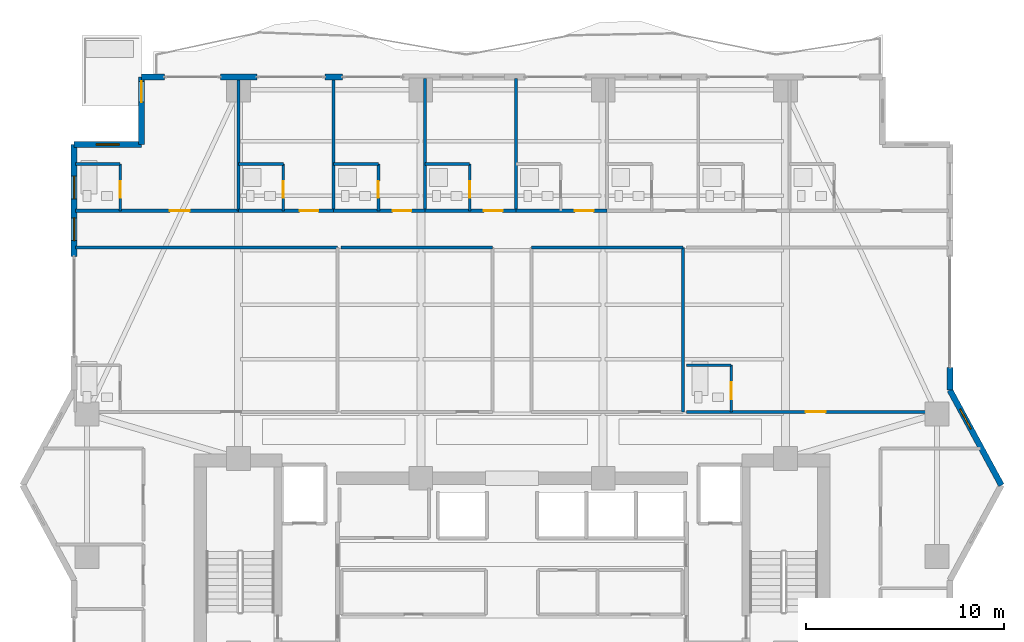
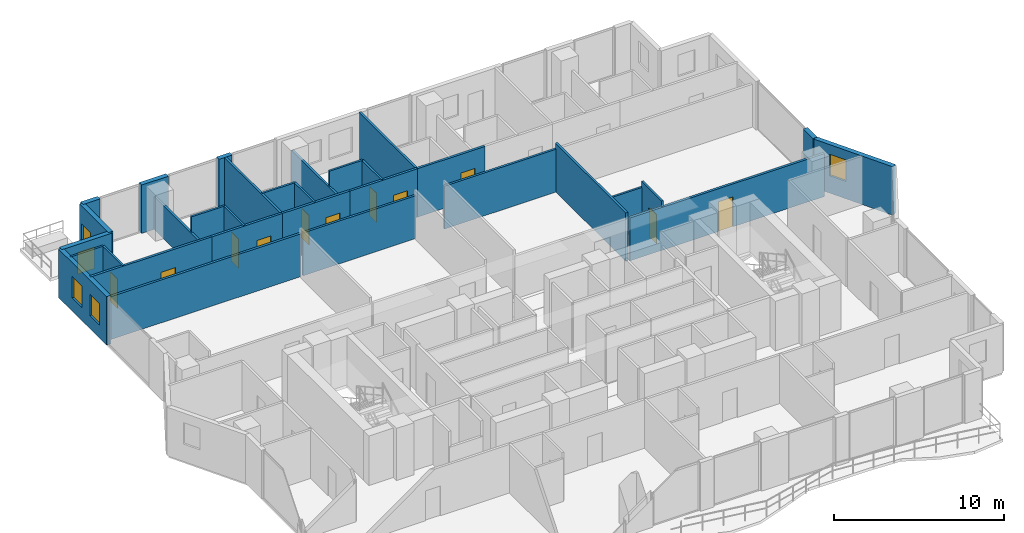
# One storey, part 27 of 33: 32 walls, 12 doors, 4 windows, 16 openings.
"""IFC4 building model written with IfcOpenShell, lengths in metres."""

from ifc_helpers import new_model, si_unit, direction, frame, frame_2d, origin, place, context, subcontext, project, spatial, rectangle, extrude, material, layer, layer_set, type_object, element, fill, save


model = new_model("IFC4")

# Units and contexts
model_context = context("Model", 3, precision=1e-05, world=origin(), true_north=direction((0.0, 1.0)))
body_context = subcontext(model_context, "Body", "Model", "MODEL_VIEW")
ifc_project = project(units=[si_unit("LENGTHUNIT", "METRE"), si_unit("AREAUNIT", "SQUARE_METRE"), si_unit("VOLUMEUNIT", "CUBIC_METRE"), si_unit("PLANEANGLEUNIT", "RADIAN"), si_unit("MASSUNIT", "GRAM", prefix="KILO")], contexts=[model_context])

# Site, building, storey
site_placement = place(None, origin())
site = spatial("IfcSite", under=ifc_project, at=site_placement, CompositionType="ELEMENT")
building_placement = place(site_placement, origin())
building = spatial("IfcBuilding", under=site, at=building_placement, Name="Zuhayl Quay Hotel", CompositionType="ELEMENT")
storey_placement = place(building_placement, frame((0.0, 0.0, 229.89990234375)))
storey = spatial("IfcBuildingStorey", under=building, at=storey_placement, Name="L58", CompositionType="ELEMENT", Elevation=229.89990234375)

# Wall, openings, windows
ifc_material_1 = material(Name="Precast concrete C45/55", Category="concrete")
ifc_layer_1 = layer(ifc_material_1, 0.300048828125, Name="Precast concrete C45/55", Category="concrete")
ifc_layer_set_1 = layer_set([ifc_layer_1], Name="Precast concrete C45/55")
wall_type_1 = type_object("IfcWallType", Name="WL_EXT_300", PredefinedType="STANDARD", material=ifc_layer_set_1)
wall_1_placement = place(storey_placement, frame((-22.10009765625, 24.550048828125, 0.0), z_axis=(0.0, 0.0, 1.0), x_axis=(0.0, 1.0, 0.0)))
wall_1 = element("IfcWall", 1, at=wall_1_placement, inside=storey, type_object=wall_type_1, Name="L58 Exterior Precast Wall ENV_L58_E05_EW2", PredefinedType="STANDARD", context=body_context, shape_type="SweptSolid", body=[
    extrude(rectangle(XDim=5.64990234375, YDim=0.300048828125, at=frame_2d((2.824951171875, 0.0))), origin(), (0.0, 0.0, 1.0), 3.489990234375),
])
opening_1_placement = place(wall_1_placement, frame((0.800048828125, 0.0, 0.949951171875)))
opening_1 = element("IfcOpeningElement", 2, at=opening_1_placement, cuts=wall_1, Name="Opening W01N", PredefinedType="OPENING", context=body_context, shape_type="SweptSolid", body=[
    extrude(rectangle(XDim=1.14990234375, YDim=1.550048828125, at=frame_2d((0.574951171875, 0.77490234375))), frame((0.0, 0.159912109375, 0.0), z_axis=(0.0, -1.0, 0.0), x_axis=(1.0, 0.0, 0.0)), (0.0, 0.0, 1.0), 0.320068359375),
])
opening_2_placement = place(wall_1_placement, frame((2.905029296875, 0.0, 0.949951171875)))
opening_2 = element("IfcOpeningElement", 3, at=opening_2_placement, cuts=wall_1, Name="Opening W01N", PredefinedType="OPENING", context=body_context, shape_type="SweptSolid", body=[
    extrude(rectangle(XDim=1.14990234375, YDim=1.550048828125, at=frame_2d((0.574951171875, 0.77490234375))), frame((0.0, 0.159912109375, 0.0), z_axis=(0.0, -1.0, 0.0), x_axis=(1.0, 0.0, 0.0)), (0.0, 0.0, 1.0), 0.320068359375),
])
ifc_material_2 = material(Name="Dark Ceramic-Fritted Solar Glass", Category="glass")
window_type = type_object("IfcWindowType", Name="WN_NOTCH_1350", PartitioningType="SINGLE_PANEL", PredefinedType="WINDOW", material=ifc_material_2)
window_1_placement = place(opening_1_placement, origin())
window_1 = element("IfcWindow", 4, at=window_1_placement, inside=storey, type_object=window_type, Name="L58 Operable Facade Window 2-1", OverallHeight=1.550048828125, OverallWidth=1.14990234375, PartitioningType="SINGLE_PANEL", PredefinedType="WINDOW", context=body_context, shape_type="SweptSolid", body=[
    extrude(rectangle(XDim=1.14990234375, YDim=1.550048828125, at=frame_2d((0.574951171875, 0.77490234375))), frame((0.0, 0.030029296875, 0.0), z_axis=(0.0, -1.0, 0.0), x_axis=(1.0, 0.0, 0.0)), (0.0, 0.0, 1.0), 0.06005859375),
])
fill(opening_1, window_1)
window_2_placement = place(opening_2_placement, origin())
window_2 = element("IfcWindow", 5, at=window_2_placement, inside=storey, type_object=window_type, Name="L58 Operable Facade Window 2-2", OverallHeight=1.550048828125, OverallWidth=1.14990234375, PartitioningType="SINGLE_PANEL", PredefinedType="WINDOW", context=body_context, shape_type="SweptSolid", body=[
    extrude(rectangle(XDim=1.14990234375, YDim=1.550048828125, at=frame_2d((0.574951171875, 0.77490234375))), frame((0.0, 0.030029296875, 0.0), z_axis=(0.0, -1.0, 0.0), x_axis=(1.0, 0.0, 0.0)), (0.0, 0.0, 1.0), 0.06005859375),
])
fill(opening_2, window_2)

# Wall, opening, window
wall_2_placement = place(storey_placement, frame((-22.10009765625, 30.199951171875, 0.0), z_axis=(0.0, 0.0, 1.0), x_axis=(1.0, 0.0, 0.0)))
wall_2 = element("IfcWall", 6, at=wall_2_placement, inside=storey, type_object=wall_type_1, Name="L58 Exterior Precast Wall ENV_L58_EW06", PredefinedType="STANDARD", context=body_context, shape_type="SweptSolid", body=[
    extrude(rectangle(XDim=3.400146484375, YDim=0.300048828125, at=frame_2d((1.7001953125, 0.0))), origin(), (0.0, 0.0, 1.0), 3.489990234375),
])
opening_3_placement = place(wall_2_placement, frame((1.125, 0.0, 1.25)))
opening_3 = element("IfcOpeningElement", 7, at=opening_3_placement, cuts=wall_2, Name="Opening W01N", PredefinedType="OPENING", context=body_context, shape_type="SweptSolid", body=[
    extrude(rectangle(XDim=1.14990234375, YDim=1.550048828125, at=frame_2d((0.574951171875, 0.77490234375))), frame((0.0, 0.159912109375, 0.0), z_axis=(0.0, -1.0, 0.0), x_axis=(1.0, 0.0, 0.0)), (0.0, 0.0, 1.0), 0.320068359375),
])
window_3_placement = place(opening_3_placement, origin())
window_3 = element("IfcWindow", 8, at=window_3_placement, inside=storey, type_object=window_type, Name="L58 Corner Notch Window 6", OverallHeight=1.550048828125, OverallWidth=1.14990234375, PartitioningType="SINGLE_PANEL", PredefinedType="WINDOW", context=body_context, shape_type="SweptSolid", body=[
    extrude(rectangle(XDim=1.14990234375, YDim=1.550048828125, at=frame_2d((0.574951171875, 0.77490234375))), frame((0.0, 0.030029296875, 0.0), z_axis=(0.0, -1.0, 0.0), x_axis=(1.0, 0.0, 0.0)), (0.0, 0.0, 1.0), 0.06005859375),
])
fill(opening_3, window_3)

# Wall, opening, door
wall_3_placement = place(storey_placement, frame((-18.699951171875, 30.199951171875, 0.0), z_axis=(0.0, 0.0, 1.0), x_axis=(0.0, 1.0, 0.0)))
wall_3 = element("IfcWall", 9, at=wall_3_placement, inside=storey, type_object=wall_type_1, Name="L58 Exterior Precast Wall ENV_L58_SP_NW", PredefinedType="STANDARD", context=body_context, shape_type="SweptSolid", body=[
    extrude(rectangle(XDim=3.400146484375, YDim=0.300048828125, at=frame_2d((1.7001953125, 0.0))), origin(), (0.0, 0.0, 1.0), 3.489990234375),
])
opening_4_placement = place(wall_3_placement, frame((2.1298828125, 0.0, 0.0)))
opening_4 = element("IfcOpeningElement", 10, at=opening_4_placement, cuts=wall_3, Name="Opening DG1", PredefinedType="OPENING", context=body_context, shape_type="SweptSolid", body=[
    extrude(rectangle(XDim=1.050048828125, YDim=2.199951171875, at=frame_2d((0.52490234375, 1.10009765625))), frame((0.0, 0.159912109375, 0.0), z_axis=(0.0, -1.0, 0.0), x_axis=(1.0, 0.0, 0.0)), (0.0, 0.0, 1.0), 0.320068359375),
])
ifc_material_3 = material(Name="Anodised Aluminium and Dark Solar Glass", Category="aluminium")
door_type_1 = type_object("IfcDoorType", Name="DR_EXT_TERR_1050", OperationType="NOTDEFINED", PredefinedType="DOOR", material=ifc_material_3)
door_1_placement = place(opening_4_placement, origin())
door_1 = element("IfcDoor", 11, at=door_1_placement, inside=storey, type_object=door_type_1, Name="L58 Spiral Sky-Terrace NW Access Door", OperationType="SINGLE_SWING_LEFT", OverallHeight=2.199951171875, OverallWidth=1.050048828125, PredefinedType="DOOR", context=body_context, shape_type="SweptSolid", body=[
    extrude(rectangle(XDim=1.050048828125, YDim=2.199951171875, at=frame_2d((0.52490234375, 1.10009765625))), frame((0.0, 0.02490234375, 0.0), z_axis=(0.0, -1.0, 0.0), x_axis=(1.0, 0.0, 0.0)), (0.0, 0.0, 1.0), 0.050048828125),
])
fill(opening_4, door_1)

# Walls
wall_4_placement = place(storey_placement, frame((-18.699951171875, 33.60009765625, 0.0), z_axis=(0.0, 0.0, 1.0), x_axis=(1.0, 0.0, 0.0)))
element("IfcWall", 12, at=wall_4_placement, inside=storey, type_object=wall_type_1, Name="L58 Exterior Precast Wall ENV_L58_N_EW1", PredefinedType="STANDARD", context=body_context, shape_type="SweptSolid", body=[
    extrude(rectangle(XDim=1.14990234375, YDim=0.300048828125, at=frame_2d((0.574951171875, 0.0))), origin(), (0.0, 0.0, 1.0), 3.489990234375),
])
wall_5_placement = place(storey_placement, frame((-14.719970703125, 33.60009765625, 0.0), z_axis=(0.0, 0.0, 1.0), x_axis=(1.0, 0.0, 0.0)))
element("IfcWall", 13, at=wall_5_placement, inside=storey, type_object=wall_type_1, Name="L58 Exterior Precast Wall ENV_L58_N_EW2", PredefinedType="STANDARD", context=body_context, shape_type="SweptSolid", body=[
    extrude(rectangle(XDim=1.840087890625, YDim=0.300048828125, at=frame_2d((0.919921875, 0.0))), origin(), (0.0, 0.0, 1.0), 3.489990234375),
])
wall_6_placement = place(storey_placement, frame((-9.449951171875, 33.60009765625, 0.0), z_axis=(0.0, 0.0, 1.0), x_axis=(1.0, 0.0, 0.0)))
element("IfcWall", 14, at=wall_6_placement, inside=storey, type_object=wall_type_1, Name="L58 Exterior Precast Wall ENV_L58_N_EW3", PredefinedType="STANDARD", context=body_context, shape_type="SweptSolid", body=[
    extrude(rectangle(XDim=0.89990234375, YDim=0.300048828125, at=frame_2d((0.449951171875, 0.0))), origin(), (0.0, 0.0, 1.0), 3.489990234375),
])
wall_7_placement = place(storey_placement, frame((22.10009765625, 18.949951171875, 0.0), z_axis=(0.0, 0.0, 1.0), x_axis=(0.0, -1.0, 0.0)))
element("IfcWall", 15, at=wall_7_placement, inside=storey, type_object=wall_type_1, Name="L58 Exterior Precast Wall ENV_L58_E11_EW2", PredefinedType="STANDARD", context=body_context, shape_type="SweptSolid", body=[
    extrude(rectangle(XDim=1.14990234375, YDim=0.300048828125, at=frame_2d((0.574951171875, 0.0))), origin(), (0.0, 0.0, 1.0), 3.489990234375),
])

# Wall, opening, window
wall_8_placement = place(storey_placement, frame((22.10009765625, 17.800048828125, 0.0), z_axis=(0.0, 0.0, 1.0), x_axis=(0.476258655584, -0.879305233114, 0.0)))
wall_8 = element("IfcWall", 16, at=wall_8_placement, inside=storey, type_object=wall_type_1, Name="L58 Exterior Precast Wall ENV_L58_EW12", PredefinedType="STANDARD", context=body_context, shape_type="SweptSolid", body=[
    extrude(rectangle(XDim=5.458984375, YDim=0.300048828125, at=frame_2d((2.7294921875, 0.0))), origin(), (0.0, 0.0, 1.0), 3.489990234375),
])
opening_5_placement = place(wall_8_placement, frame((1.078125, 0.0, 1.25)))
opening_5 = element("IfcOpeningElement", 17, at=opening_5_placement, cuts=wall_8, Name="Opening W01N", PredefinedType="OPENING", context=body_context, shape_type="SweptSolid", body=[
    extrude(rectangle(XDim=1.14990234375, YDim=1.550048828125, at=frame_2d((0.574951171875, 0.77490234375))), frame((0.0, 0.159912109375, 0.0), z_axis=(0.0, -1.0, 0.0), x_axis=(1.0, 0.0, 0.0)), (0.0, 0.0, 1.0), 0.320068359375),
])
window_4_placement = place(opening_5_placement, origin())
window_4 = element("IfcWindow", 18, at=window_4_placement, inside=storey, type_object=window_type, Name="L58 Corner Notch Window 12", OverallHeight=1.550048828125, OverallWidth=1.14990234375, PartitioningType="SINGLE_PANEL", PredefinedType="WINDOW", context=body_context, shape_type="SweptSolid", body=[
    extrude(rectangle(XDim=1.14990234375, YDim=1.550048828125, at=frame_2d((0.574951171875, 0.77490234375))), frame((0.0, 0.030029296875, 0.0), z_axis=(0.0, -1.0, 0.0), x_axis=(1.0, 0.0, 0.0)), (0.0, 0.0, 1.0), 0.06005859375),
])
fill(opening_5, window_4)

# Walls
ifc_material_4 = material(Name="Acoustic Gypsum Partition STC-58")
ifc_layer_2 = layer(ifc_material_4, 0.14990234375, Name="Acoustic Gypsum Partition STC-58")
ifc_layer_set_2 = layer_set([ifc_layer_2], Name="Acoustic Gypsum Partition STC-58")
wall_type_2 = type_object("IfcWallType", Name="WL_PART_150", PredefinedType="PARTITIONING", material=ifc_layer_set_2)
wall_9_placement = place(storey_placement, frame((-13.800048828125, 26.85009765625, 0.0), z_axis=(0.0, 0.0, 1.0), x_axis=(0.0, 1.0, 0.0)))
element("IfcWall", 19, at=wall_9_placement, inside=storey, type_object=wall_type_2, Name="L58 Partition IW_L58_NU01_E", PredefinedType="PARTITIONING", context=body_context, shape_type="SweptSolid", body=[
    extrude(rectangle(XDim=6.669921875, YDim=0.14990234375, at=frame_2d((3.3349609375, 0.0))), origin(), (0.0, 0.0, 1.0), 2.3720703125),
])
wall_10_placement = place(storey_placement, frame((-9.0, 26.85009765625, 0.0), z_axis=(0.0, 0.0, 1.0), x_axis=(0.0, 1.0, 0.0)))
element("IfcWall", 20, at=wall_10_placement, inside=storey, type_object=wall_type_2, Name="L58 Partition IW_L58_NU02_E", PredefinedType="PARTITIONING", context=body_context, shape_type="SweptSolid", body=[
    extrude(rectangle(XDim=6.669921875, YDim=0.14990234375, at=frame_2d((3.3349609375, 0.0))), origin(), (0.0, 0.0, 1.0), 3.489990234375),
])
wall_11_placement = place(storey_placement, frame((-4.39990234375, 26.85009765625, 0.0), z_axis=(0.0, 0.0, 1.0), x_axis=(0.0, 1.0, 0.0)))
element("IfcWall", 21, at=wall_11_placement, inside=storey, type_object=wall_type_2, Name="L58 Partition IW_L58_NU03_E", PredefinedType="PARTITIONING", context=body_context, shape_type="SweptSolid", body=[
    extrude(rectangle(XDim=6.669921875, YDim=0.14990234375, at=frame_2d((3.3349609375, 0.0))), origin(), (0.0, 0.0, 1.0), 2.3720703125),
])
wall_12_placement = place(storey_placement, frame((0.199951171875, 26.85009765625, 0.0), z_axis=(0.0, 0.0, 1.0), x_axis=(0.0, 1.0, 0.0)))
element("IfcWall", 22, at=wall_12_placement, inside=storey, type_object=wall_type_2, Name="L58 Partition IW_L58_NU04_E", PredefinedType="PARTITIONING", context=body_context, shape_type="SweptSolid", body=[
    extrude(rectangle(XDim=6.669921875, YDim=0.14990234375, at=frame_2d((3.3349609375, 0.0))), origin(), (0.0, 0.0, 1.0), 3.489990234375),
])
for number, where, z_axis, x_axis, name in (
    (23, (-8.639892578125, 25.0, 0.0), (0.0, 0.0, 1.0), (1.0, 0.0, 0.0), "L58 Partition IW_L58_Z3_MID_W_N"),
    (24, (0.97998046875, 25.0, 0.0), (0.0, 0.0, 1.0), (1.0, 0.0, 0.0), "L58 Partition IW_L58_Z3_MID_E_N"),
):
    element("IfcWall", number, at=place(storey_placement, frame(where, z_axis=z_axis, x_axis=x_axis)), inside=storey, type_object=wall_type_2, Name=name, PredefinedType="PARTITIONING", context=body_context, shape_type="SweptSolid", body=[
        extrude(rectangle(XDim=7.659912109375, YDim=0.14990234375, at=frame_2d((3.830078125, 0.0))), origin(), (0.0, 0.0, 1.0), 3.083984375),
    ])
wall_13_placement = place(storey_placement, frame((8.639892578125, 16.699951171875, 0.0), z_axis=(0.0, 0.0, 1.0), x_axis=(0.0, 1.0, 0.0)))
element("IfcWall", 25, at=wall_13_placement, inside=storey, type_object=wall_type_2, Name="L58 Partition IW_L58_Z3_MID_E_E", PredefinedType="PARTITIONING", context=body_context, shape_type="SweptSolid", body=[
    extrude(rectangle(XDim=8.300048828125, YDim=0.14990234375, at=frame_2d((4.14990234375, 0.0))), origin(), (0.0, 0.0, 1.0), 3.489990234375),
])

# Wall, opening, door
ifc_layer_3 = layer(ifc_material_4, 0.159912109375, Name="Acoustic Gypsum Partition STC-58")
ifc_layer_set_3 = layer_set([ifc_layer_3], Name="Acoustic Gypsum Partition STC-58")
wall_type_3 = type_object("IfcWallType", Name="WL_PART_CORR_160", PredefinedType="PARTITIONING", material=ifc_layer_set_3)
wall_14_placement = place(storey_placement, frame((-22.0400390625, 26.85009765625, 0.0), z_axis=(0.0, 0.0, 1.0), x_axis=(1.0, 0.0, 0.0)))
wall_14 = element("IfcWall", 26, at=wall_14_placement, inside=storey, type_object=wall_type_3, Name="L58 Partition IW_L58_NU01_COR", PredefinedType="PARTITIONING", context=body_context, shape_type="SweptSolid", body=[
    extrude(rectangle(XDim=8.239990234375, YDim=0.159912109375, at=frame_2d((4.1201171875, 0.0))), origin(), (0.0, 0.0, 1.0), 3.489990234375),
])
opening_6_placement = place(wall_14_placement, frame((4.77001953125, 0.0, 0.0)))
opening_6 = element("IfcOpeningElement", 27, at=opening_6_placement, cuts=wall_14, Name="Opening D03L", PredefinedType="OPENING", context=body_context, shape_type="SweptSolid", body=[
    extrude(rectangle(XDim=1.0, YDim=2.14990234375, at=frame_2d((0.5, 1.074951171875))), frame((0.0, 0.08984375, 0.0), z_axis=(0.0, -1.0, 0.0), x_axis=(1.0, 0.0, 0.0)), (0.0, 0.0, 1.0), 0.179931640625),
])
ifc_material_5 = material(Name="Solid Walnut Acoustic Fire Door")
door_type_2 = type_object("IfcDoorType", Name="DR_SUITE_1000", OperationType="NOTDEFINED", PredefinedType="DOOR", material=ifc_material_5)
door_2_placement = place(opening_6_placement, origin())
door_2 = element("IfcDoor", 28, at=door_2_placement, inside=storey, type_object=door_type_2, Name="L58 Panoramic Gulf Guest Room L58-01 Entrance Door", OperationType="SINGLE_SWING_LEFT", OverallHeight=2.14990234375, OverallWidth=1.0, PredefinedType="DOOR", context=body_context, shape_type="SweptSolid", body=[
    extrude(rectangle(XDim=1.0, YDim=2.14990234375, at=frame_2d((0.5, 1.074951171875))), frame((0.0, 0.02490234375, 0.0), z_axis=(0.0, -1.0, 0.0), x_axis=(1.0, 0.0, 0.0)), (0.0, 0.0, 1.0), 0.050048828125),
])
fill(opening_6, door_2)

wall_15_placement = place(storey_placement, frame((-13.800048828125, 26.85009765625, 0.0), z_axis=(0.0, 0.0, 1.0), x_axis=(1.0, 0.0, 0.0)))
wall_15 = element("IfcWall", 29, at=wall_15_placement, inside=storey, type_object=wall_type_3, Name="L58 Partition IW_L58_NU02_COR", PredefinedType="PARTITIONING", context=body_context, shape_type="SweptSolid", body=[
    extrude(rectangle(XDim=4.800048828125, YDim=0.159912109375, at=frame_2d((2.39990234375, 0.0))), origin(), (0.0, 0.0, 1.0), 3.489990234375),
])
opening_7_placement = place(wall_15_placement, frame((3.074951171875, 0.0, 0.0)))
opening_7 = element("IfcOpeningElement", 30, at=opening_7_placement, cuts=wall_15, Name="Opening D03", PredefinedType="OPENING", context=body_context, shape_type="SweptSolid", body=[
    extrude(rectangle(XDim=0.949951171875, YDim=2.14990234375, at=frame_2d((0.47509765625, 1.074951171875))), frame((0.0, 0.08984375, 0.0), z_axis=(0.0, -1.0, 0.0), x_axis=(1.0, 0.0, 0.0)), (0.0, 0.0, 1.0), 0.179931640625),
])
door_type_3 = type_object("IfcDoorType", Name="DR_SUITE_950", OperationType="NOTDEFINED", PredefinedType="DOOR", material=ifc_material_5)
door_3_placement = place(opening_7_placement, origin())
door_3 = element("IfcDoor", 31, at=door_3_placement, inside=storey, type_object=door_type_3, Name="L58 Panoramic Gulf Guest Room L58-02 Entrance Door", OperationType="SINGLE_SWING_LEFT", OverallHeight=2.14990234375, OverallWidth=0.949951171875, PredefinedType="DOOR", context=body_context, shape_type="SweptSolid", body=[
    extrude(rectangle(XDim=0.949951171875, YDim=2.14990234375, at=frame_2d((0.47509765625, 1.074951171875))), frame((0.0, 0.02490234375, 0.0), z_axis=(0.0, -1.0, 0.0), x_axis=(1.0, 0.0, 0.0)), (0.0, 0.0, 1.0), 0.050048828125),
])
fill(opening_7, door_3)

wall_16_placement = place(storey_placement, frame((-9.0, 26.85009765625, 0.0), z_axis=(0.0, 0.0, 1.0), x_axis=(1.0, 0.0, 0.0)))
wall_16 = element("IfcWall", 32, at=wall_16_placement, inside=storey, type_object=wall_type_3, Name="L58 Partition IW_L58_NU03_COR", PredefinedType="PARTITIONING", context=body_context, shape_type="SweptSolid", body=[
    extrude(rectangle(XDim=4.60009765625, YDim=0.159912109375, at=frame_2d((2.300048828125, 0.0))), origin(), (0.0, 0.0, 1.0), 3.489990234375),
])
opening_8_placement = place(wall_16_placement, frame((2.97509765625, 0.0, 0.0)))
opening_8 = element("IfcOpeningElement", 33, at=opening_8_placement, cuts=wall_16, Name="Opening D03", PredefinedType="OPENING", context=body_context, shape_type="SweptSolid", body=[
    extrude(rectangle(XDim=0.949951171875, YDim=2.14990234375, at=frame_2d((0.47509765625, 1.074951171875))), frame((0.0, 0.08984375, 0.0), z_axis=(0.0, -1.0, 0.0), x_axis=(1.0, 0.0, 0.0)), (0.0, 0.0, 1.0), 0.179931640625),
])
door_4_placement = place(opening_8_placement, origin())
door_4 = element("IfcDoor", 34, at=door_4_placement, inside=storey, type_object=door_type_3, Name="L58 Panoramic Gulf Guest Room L58-03 Entrance Door", OperationType="SINGLE_SWING_LEFT", OverallHeight=2.14990234375, OverallWidth=0.949951171875, PredefinedType="DOOR", context=body_context, shape_type="SweptSolid", body=[
    extrude(rectangle(XDim=0.949951171875, YDim=2.14990234375, at=frame_2d((0.47509765625, 1.074951171875))), frame((0.0, 0.02490234375, 0.0), z_axis=(0.0, -1.0, 0.0), x_axis=(1.0, 0.0, 0.0)), (0.0, 0.0, 1.0), 0.050048828125),
])
fill(opening_8, door_4)

wall_17_placement = place(storey_placement, frame((-4.39990234375, 26.85009765625, 0.0), z_axis=(0.0, 0.0, 1.0), x_axis=(1.0, 0.0, 0.0)))
wall_17 = element("IfcWall", 35, at=wall_17_placement, inside=storey, type_object=wall_type_3, Name="L58 Partition IW_L58_NU04_COR", PredefinedType="PARTITIONING", context=body_context, shape_type="SweptSolid", body=[
    extrude(rectangle(XDim=4.599853515625, YDim=0.159912109375, at=frame_2d((2.2998046875, 0.0))), origin(), (0.0, 0.0, 1.0), 3.489990234375),
])
opening_9_placement = place(wall_17_placement, frame((2.97509765625, 0.0, 0.0)))
opening_9 = element("IfcOpeningElement", 36, at=opening_9_placement, cuts=wall_17, Name="Opening D03", PredefinedType="OPENING", context=body_context, shape_type="SweptSolid", body=[
    extrude(rectangle(XDim=0.949951171875, YDim=2.14990234375, at=frame_2d((0.47509765625, 1.074951171875))), frame((0.0, 0.08984375, 0.0), z_axis=(0.0, -1.0, 0.0), x_axis=(1.0, 0.0, 0.0)), (0.0, 0.0, 1.0), 0.179931640625),
])
door_5_placement = place(opening_9_placement, origin())
door_5 = element("IfcDoor", 37, at=door_5_placement, inside=storey, type_object=door_type_3, Name="L58 Panoramic Gulf Guest Room L58-04 Entrance Door", OperationType="SINGLE_SWING_LEFT", OverallHeight=2.14990234375, OverallWidth=0.949951171875, PredefinedType="DOOR", context=body_context, shape_type="SweptSolid", body=[
    extrude(rectangle(XDim=0.949951171875, YDim=2.14990234375, at=frame_2d((0.47509765625, 1.074951171875))), frame((0.0, 0.02490234375, 0.0), z_axis=(0.0, -1.0, 0.0), x_axis=(1.0, 0.0, 0.0)), (0.0, 0.0, 1.0), 0.050048828125),
])
fill(opening_9, door_5)

wall_18_placement = place(storey_placement, frame((0.199951171875, 26.85009765625, 0.0), z_axis=(0.0, 0.0, 1.0), x_axis=(1.0, 0.0, 0.0)))
wall_18 = element("IfcWall", 38, at=wall_18_placement, inside=storey, type_object=wall_type_3, Name="L58 Partition IW_L58_NU05_COR", PredefinedType="PARTITIONING", context=body_context, shape_type="SweptSolid", body=[
    extrude(rectangle(XDim=4.60009765625, YDim=0.159912109375, at=frame_2d((2.300048828125, 0.0))), origin(), (0.0, 0.0, 1.0), 3.489990234375),
])
opening_10_placement = place(wall_18_placement, frame((2.97509765625, 0.0, 0.0)))
opening_10 = element("IfcOpeningElement", 39, at=opening_10_placement, cuts=wall_18, Name="Opening D03", PredefinedType="OPENING", context=body_context, shape_type="SweptSolid", body=[
    extrude(rectangle(XDim=0.949951171875, YDim=2.14990234375, at=frame_2d((0.47509765625, 1.074951171875))), frame((0.0, 0.08984375, 0.0), z_axis=(0.0, -1.0, 0.0), x_axis=(1.0, 0.0, 0.0)), (0.0, 0.0, 1.0), 0.179931640625),
])
door_6_placement = place(opening_10_placement, origin())
door_6 = element("IfcDoor", 40, at=door_6_placement, inside=storey, type_object=door_type_3, Name="L58 Panoramic Gulf Guest Room L58-05 Entrance Door", OperationType="SINGLE_SWING_LEFT", OverallHeight=2.14990234375, OverallWidth=0.949951171875, PredefinedType="DOOR", context=body_context, shape_type="SweptSolid", body=[
    extrude(rectangle(XDim=0.949951171875, YDim=2.14990234375, at=frame_2d((0.47509765625, 1.074951171875))), frame((0.0, 0.02490234375, 0.0), z_axis=(0.0, -1.0, 0.0), x_axis=(1.0, 0.0, 0.0)), (0.0, 0.0, 1.0), 0.050048828125),
])
fill(opening_10, door_6)

wall_19_placement = place(storey_placement, frame((8.800048828125, 16.699951171875, 0.0), z_axis=(0.0, 0.0, 1.0), x_axis=(1.0, 0.0, 0.0)))
wall_19 = element("IfcWall", 41, at=wall_19_placement, inside=storey, type_object=wall_type_3, Name="L58 Partition IW_L58_MU04_COR", PredefinedType="PARTITIONING", context=body_context, shape_type="SweptSolid", body=[
    extrude(rectangle(XDim=13.239990234375, YDim=0.159912109375, at=frame_2d((6.6201171875, 0.0))), origin(), (0.0, 0.0, 1.0), 3.083984375),
])
opening_11_placement = place(wall_19_placement, frame((6.02490234375, 0.0, 0.0)))
opening_11 = element("IfcOpeningElement", 42, at=opening_11_placement, cuts=wall_19, Name="Opening D03L", PredefinedType="OPENING", context=body_context, shape_type="SweptSolid", body=[
    extrude(rectangle(XDim=1.0, YDim=2.14990234375, at=frame_2d((0.5, 1.074951171875))), frame((0.0, 0.08984375, 0.0), z_axis=(0.0, -1.0, 0.0), x_axis=(1.0, 0.0, 0.0)), (0.0, 0.0, 1.0), 0.179931640625),
])
door_7_placement = place(opening_11_placement, origin())
door_7 = element("IfcDoor", 43, at=door_7_placement, inside=storey, type_object=door_type_2, Name="L58 Club Junior Suite L58-M4 Entrance Door", OperationType="SINGLE_SWING_LEFT", OverallHeight=2.14990234375, OverallWidth=1.0, PredefinedType="DOOR", context=body_context, shape_type="SweptSolid", body=[
    extrude(rectangle(XDim=1.0, YDim=2.14990234375, at=frame_2d((0.5, 1.074951171875))), frame((0.0, 0.02490234375, 0.0), z_axis=(0.0, -1.0, 0.0), x_axis=(1.0, 0.0, 0.0)), (0.0, 0.0, 1.0), 0.050048828125),
])
fill(opening_11, door_7)

# Wall
wall_20_placement = place(storey_placement, frame((-22.0400390625, 25.0, 0.0), z_axis=(0.0, 0.0, 1.0), x_axis=(1.0, 0.0, 0.0)))
element("IfcWall", 44, at=wall_20_placement, inside=storey, type_object=wall_type_3, Name="L58 Partition IW_L58_MU01_BK", PredefinedType="PARTITIONING", context=body_context, shape_type="SweptSolid", body=[
    extrude(rectangle(XDim=13.239990234375, YDim=0.159912109375, at=frame_2d((6.6201171875, 0.0))), origin(), (0.0, 0.0, 1.0), 3.083984375),
])

# Wall, opening, door
ifc_material_6 = material(Name="Moisture-Resistant Sanitarychase Gypsum")
ifc_layer_4 = layer(ifc_material_6, 0.135009765625, Name="Moisture-Resistant Sanitarychase Gypsum")
ifc_layer_set_4 = layer_set([ifc_layer_4], Name="Moisture-Resistant Sanitarychase Gypsum")
wall_type_4 = type_object("IfcWallType", Name="WL_PART_PLUMB_150", PredefinedType="PLUMBINGWALL", material=ifc_layer_set_4)
wall_21_placement = place(storey_placement, frame((-19.780029296875, 26.85009765625, 0.0), z_axis=(0.0, 0.0, 1.0), x_axis=(0.0, 1.0, 0.0)))
wall_21 = element("IfcWall", 45, at=wall_21_placement, inside=storey, type_object=wall_type_4, Name="L58 Partition IW_L58_NU01_BE", PredefinedType="PLUMBINGWALL", context=body_context, shape_type="SweptSolid", body=[
    extrude(rectangle(XDim=2.35986328125, YDim=0.135009765625, at=frame_2d((1.179931640625, 0.0))), origin(), (0.0, 0.0, 1.0), 3.489990234375),
])
opening_12_placement = place(wall_21_placement, frame((0.64990234375, 0.0, 0.0)))
opening_12 = element("IfcOpeningElement", 46, at=opening_12_placement, cuts=wall_21, Name="Opening D04", PredefinedType="OPENING", context=body_context, shape_type="SweptSolid", body=[
    extrude(rectangle(XDim=0.85009765625, YDim=2.10009765625, at=frame_2d((0.425048828125, 1.050048828125))), frame((0.0, 0.077392578125, 0.0), z_axis=(0.0, -1.0, 0.0), x_axis=(1.0, 0.0, 0.0)), (0.0, 0.0, 1.0), 0.155029296875),
])
ifc_material_7 = material(Name="Moisture-Resistant Walnut Veneer")
door_type_4 = type_object("IfcDoorType", Name="DR_BATH_850", OperationType="NOTDEFINED", PredefinedType="DOOR", material=ifc_material_7)
door_8_placement = place(opening_12_placement, origin())
door_8 = element("IfcDoor", 47, at=door_8_placement, inside=storey, type_object=door_type_4, Name="L58 Panoramic Gulf Guest Room L58-01 En-Suite Door", OperationType="SINGLE_SWING_RIGHT", OverallHeight=2.10009765625, OverallWidth=0.85009765625, PredefinedType="DOOR", context=body_context, shape_type="SweptSolid", body=[
    extrude(rectangle(XDim=0.85009765625, YDim=2.10009765625, at=frame_2d((0.425048828125, 1.050048828125))), frame((0.0, 0.02490234375, 0.0), z_axis=(0.0, -1.0, 0.0), x_axis=(1.0, 0.0, 0.0)), (0.0, 0.0, 1.0), 0.050048828125),
])
fill(opening_12, door_8)

wall_22_placement = place(storey_placement, frame((-11.5400390625, 26.85009765625, 0.0), z_axis=(0.0, 0.0, 1.0), x_axis=(0.0, 1.0, 0.0)))
wall_22 = element("IfcWall", 48, at=wall_22_placement, inside=storey, type_object=wall_type_4, Name="L58 Partition IW_L58_NU02_BE", PredefinedType="PLUMBINGWALL", context=body_context, shape_type="SweptSolid", body=[
    extrude(rectangle(XDim=2.35986328125, YDim=0.135009765625, at=frame_2d((1.179931640625, 0.0))), origin(), (0.0, 0.0, 1.0), 3.489990234375),
])
opening_13_placement = place(wall_22_placement, frame((0.64990234375, 0.0, 0.0)))
opening_13 = element("IfcOpeningElement", 49, at=opening_13_placement, cuts=wall_22, Name="Opening D04", PredefinedType="OPENING", context=body_context, shape_type="SweptSolid", body=[
    extrude(rectangle(XDim=0.85009765625, YDim=2.10009765625, at=frame_2d((0.425048828125, 1.050048828125))), frame((0.0, 0.077392578125, 0.0), z_axis=(0.0, -1.0, 0.0), x_axis=(1.0, 0.0, 0.0)), (0.0, 0.0, 1.0), 0.155029296875),
])
door_9_placement = place(opening_13_placement, origin())
door_9 = element("IfcDoor", 50, at=door_9_placement, inside=storey, type_object=door_type_4, Name="L58 Panoramic Gulf Guest Room L58-02 En-Suite Door", OperationType="SINGLE_SWING_RIGHT", OverallHeight=2.10009765625, OverallWidth=0.85009765625, PredefinedType="DOOR", context=body_context, shape_type="SweptSolid", body=[
    extrude(rectangle(XDim=0.85009765625, YDim=2.10009765625, at=frame_2d((0.425048828125, 1.050048828125))), frame((0.0, 0.02490234375, 0.0), z_axis=(0.0, -1.0, 0.0), x_axis=(1.0, 0.0, 0.0)), (0.0, 0.0, 1.0), 0.050048828125),
])
fill(opening_13, door_9)

wall_23_placement = place(storey_placement, frame((-6.739990234375, 26.85009765625, 0.0), z_axis=(0.0, 0.0, 1.0), x_axis=(0.0, 1.0, 0.0)))
wall_23 = element("IfcWall", 51, at=wall_23_placement, inside=storey, type_object=wall_type_4, Name="L58 Partition IW_L58_NU03_BE", PredefinedType="PLUMBINGWALL", context=body_context, shape_type="SweptSolid", body=[
    extrude(rectangle(XDim=2.35986328125, YDim=0.135009765625, at=frame_2d((1.179931640625, 0.0))), origin(), (0.0, 0.0, 1.0), 3.489990234375),
])
opening_14_placement = place(wall_23_placement, frame((0.64990234375, 0.0, 0.0)))
opening_14 = element("IfcOpeningElement", 52, at=opening_14_placement, cuts=wall_23, Name="Opening D04", PredefinedType="OPENING", context=body_context, shape_type="SweptSolid", body=[
    extrude(rectangle(XDim=0.85009765625, YDim=2.10009765625, at=frame_2d((0.425048828125, 1.050048828125))), frame((0.0, 0.077392578125, 0.0), z_axis=(0.0, -1.0, 0.0), x_axis=(1.0, 0.0, 0.0)), (0.0, 0.0, 1.0), 0.155029296875),
])
door_10_placement = place(opening_14_placement, origin())
door_10 = element("IfcDoor", 53, at=door_10_placement, inside=storey, type_object=door_type_4, Name="L58 Panoramic Gulf Guest Room L58-03 En-Suite Door", OperationType="SINGLE_SWING_RIGHT", OverallHeight=2.10009765625, OverallWidth=0.85009765625, PredefinedType="DOOR", context=body_context, shape_type="SweptSolid", body=[
    extrude(rectangle(XDim=0.85009765625, YDim=2.10009765625, at=frame_2d((0.425048828125, 1.050048828125))), frame((0.0, 0.02490234375, 0.0), z_axis=(0.0, -1.0, 0.0), x_axis=(1.0, 0.0, 0.0)), (0.0, 0.0, 1.0), 0.050048828125),
])
fill(opening_14, door_10)

wall_24_placement = place(storey_placement, frame((-2.139892578125, 26.85009765625, 0.0), z_axis=(0.0, 0.0, 1.0), x_axis=(0.0, 1.0, 0.0)))
wall_24 = element("IfcWall", 54, at=wall_24_placement, inside=storey, type_object=wall_type_4, Name="L58 Partition IW_L58_NU04_BE", PredefinedType="PLUMBINGWALL", context=body_context, shape_type="SweptSolid", body=[
    extrude(rectangle(XDim=2.35986328125, YDim=0.135009765625, at=frame_2d((1.179931640625, 0.0))), origin(), (0.0, 0.0, 1.0), 3.489990234375),
])
opening_15_placement = place(wall_24_placement, frame((0.64990234375, 0.0, 0.0)))
opening_15 = element("IfcOpeningElement", 55, at=opening_15_placement, cuts=wall_24, Name="Opening D04", PredefinedType="OPENING", context=body_context, shape_type="SweptSolid", body=[
    extrude(rectangle(XDim=0.85009765625, YDim=2.10009765625, at=frame_2d((0.425048828125, 1.050048828125))), frame((0.0, 0.077392578125, 0.0), z_axis=(0.0, -1.0, 0.0), x_axis=(1.0, 0.0, 0.0)), (0.0, 0.0, 1.0), 0.155029296875),
])
door_11_placement = place(opening_15_placement, origin())
door_11 = element("IfcDoor", 56, at=door_11_placement, inside=storey, type_object=door_type_4, Name="L58 Panoramic Gulf Guest Room L58-04 En-Suite Door", OperationType="SINGLE_SWING_RIGHT", OverallHeight=2.10009765625, OverallWidth=0.85009765625, PredefinedType="DOOR", context=body_context, shape_type="SweptSolid", body=[
    extrude(rectangle(XDim=0.85009765625, YDim=2.10009765625, at=frame_2d((0.425048828125, 1.050048828125))), frame((0.0, 0.02490234375, 0.0), z_axis=(0.0, -1.0, 0.0), x_axis=(1.0, 0.0, 0.0)), (0.0, 0.0, 1.0), 0.050048828125),
])
fill(opening_15, door_11)

wall_25_placement = place(storey_placement, frame((11.06005859375, 16.699951171875, 0.0), z_axis=(0.0, 0.0, 1.0), x_axis=(0.0, 1.0, 0.0)))
wall_25 = element("IfcWall", 57, at=wall_25_placement, inside=storey, type_object=wall_type_4, Name="L58 Partition IW_L58_MU04_BE", PredefinedType="PLUMBINGWALL", context=body_context, shape_type="SweptSolid", body=[
    extrude(rectangle(XDim=2.360107421875, YDim=0.135009765625, at=frame_2d((1.18017578125, 0.0))), origin(), (0.0, 0.0, 1.0), 3.489990234375),
])
opening_16_placement = place(wall_25_placement, frame((0.64990234375, 0.0, 0.0)))
opening_16 = element("IfcOpeningElement", 58, at=opening_16_placement, cuts=wall_25, Name="Opening D04", PredefinedType="OPENING", context=body_context, shape_type="SweptSolid", body=[
    extrude(rectangle(XDim=0.85009765625, YDim=2.10009765625, at=frame_2d((0.425048828125, 1.050048828125))), frame((0.0, 0.077392578125, 0.0), z_axis=(0.0, -1.0, 0.0), x_axis=(1.0, 0.0, 0.0)), (0.0, 0.0, 1.0), 0.155029296875),
])
door_12_placement = place(opening_16_placement, origin())
door_12 = element("IfcDoor", 59, at=door_12_placement, inside=storey, type_object=door_type_4, Name="L58 Club Junior Suite L58-M4 En-Suite Door", OperationType="SINGLE_SWING_RIGHT", OverallHeight=2.10009765625, OverallWidth=0.85009765625, PredefinedType="DOOR", context=body_context, shape_type="SweptSolid", body=[
    extrude(rectangle(XDim=0.85009765625, YDim=2.10009765625, at=frame_2d((0.425048828125, 1.050048828125))), frame((0.0, 0.02490234375, 0.0), z_axis=(0.0, -1.0, 0.0), x_axis=(1.0, 0.0, 0.0)), (0.0, 0.0, 1.0), 0.050048828125),
])
fill(opening_16, door_12)

# Walls
for number, where, z_axis, x_axis, name in (
    (60, (-22.0400390625, 29.2099609375, 0.0), (0.0, 0.0, 1.0), (1.0, 0.0, 0.0), "L58 Partition IW_L58_NU01_BN"),
    (61, (-13.800048828125, 29.2099609375, 0.0), (0.0, 0.0, 1.0), (1.0, 0.0, 0.0), "L58 Partition IW_L58_NU02_BN"),
    (62, (-9.0, 29.2099609375, 0.0), (0.0, 0.0, 1.0), (1.0, 0.0, 0.0), "L58 Partition IW_L58_NU03_BN"),
    (63, (-4.39990234375, 29.2099609375, 0.0), (0.0, 0.0, 1.0), (1.0, 0.0, 0.0), "L58 Partition IW_L58_NU04_BN"),
):
    element("IfcWall", number, at=place(storey_placement, frame(where, z_axis=z_axis, x_axis=x_axis)), inside=storey, type_object=wall_type_4, Name=name, PredefinedType="PLUMBINGWALL", context=body_context, shape_type="SweptSolid", body=[
        extrude(rectangle(XDim=2.260009765625, YDim=0.135009765625, at=frame_2d((1.1298828125, 0.0))), origin(), (0.0, 0.0, 1.0), 3.489990234375),
    ])
wall_26_placement = place(storey_placement, frame((8.800048828125, 19.06005859375, 0.0), z_axis=(0.0, 0.0, 1.0), x_axis=(1.0, 0.0, 0.0)))
element("IfcWall", 64, at=wall_26_placement, inside=storey, type_object=wall_type_4, Name="L58 Partition IW_L58_MU04_BN", PredefinedType="PLUMBINGWALL", context=body_context, shape_type="SweptSolid", body=[
    extrude(rectangle(XDim=2.260009765625, YDim=0.135009765625, at=frame_2d((1.1298828125, 0.0))), origin(), (0.0, 0.0, 1.0), 3.083984375),
])

save(model, "model.ifc")
